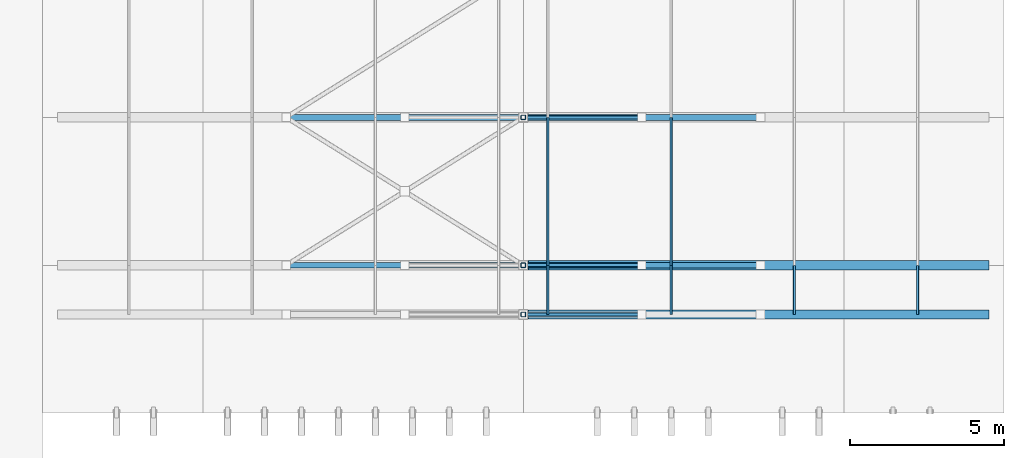
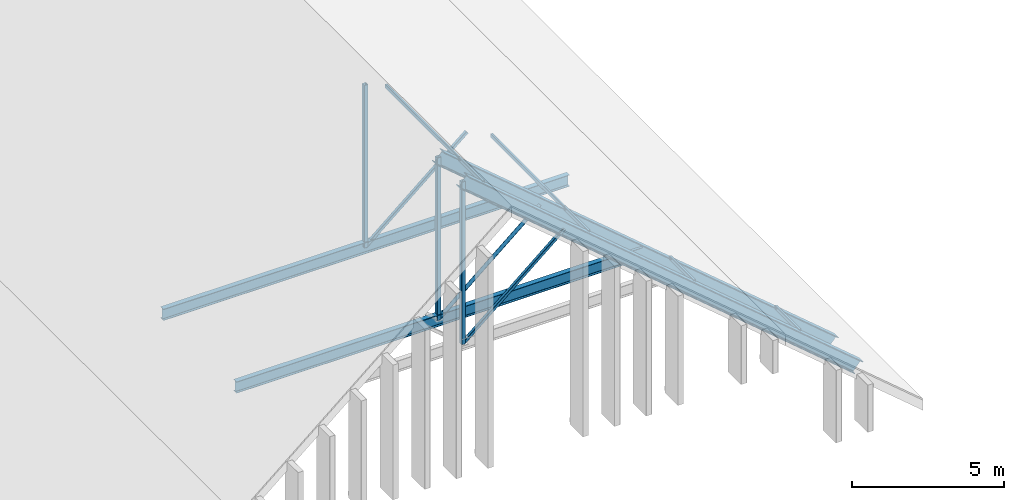
# One storey, part 24 of 60: 12 members, 4 beams.
"""IFC4 building model written with IfcOpenShell, lengths in metres."""

from ifc_helpers import new_model, si_unit, direction, frame, origin, origin_2d, place, context, subcontext, project, spatial, hollow_rectangle, hollow_circle, i_section, extrude, material, material_profile, profile_set, type_object, element, save


model = new_model("IFC4")

# Units and contexts
model_context = context("Model", 3, precision=1e-05, world=origin(), true_north=direction((0.0, 1.0)))
body_context = subcontext(model_context, "Body", "Model", "MODEL_VIEW")
ifc_project = project(units=[si_unit("LENGTHUNIT", "METRE"), si_unit("AREAUNIT", "SQUARE_METRE"), si_unit("VOLUMEUNIT", "CUBIC_METRE"), si_unit("PLANEANGLEUNIT", "RADIAN"), si_unit("MASSUNIT", "GRAM", prefix="KILO")], contexts=[model_context])

# Site, building, storey
site_placement = place(None, origin())
site = spatial("IfcSite", under=ifc_project, at=site_placement, CompositionType="ELEMENT")
building_placement = place(site_placement, origin())
building = spatial("IfcBuilding", under=site, at=building_placement, Name="Nakhvara Creek Congress Hotel", CompositionType="ELEMENT")
storey_placement = place(building_placement, frame((0.0, 0.0, 54.60009765625)))
storey = spatial("IfcBuildingStorey", under=building, at=storey_placement, Name="RL1", CompositionType="ELEMENT", Elevation=54.60009765625)

# Beams
ifc_material_1 = material(Name="Steel S355J2", Category="steel")
ifc_material_profile_1 = material_profile(ifc_material_1, i_section(OverallWidth=0.300048828125, OverallDepth=0.5, WebThickness=0.014404296875, FlangeThickness=0.028076171875, FilletRadius=0.027099609375, at=origin_2d()), Name="HEB 500", Category="LoadBearing")
ifc_profile_set_1 = profile_set([ifc_material_profile_1], Name="Steel S355J2")
beam_type_1 = type_object("IfcBeamType", Name="BM-ST-HEB500", PredefinedType="BEAM", material=ifc_profile_set_1)
for number, where, z_axis, x_axis, name in (
    (1, (164.39990234375, 76.39990234375, 8.11376953125), (0.763392905421, 0.0, -0.645934417687), (0.0, 1.0, 0.0), "Hotel Gothic Gable East Rafter 01"),
    (2, (164.39990234375, 78.0, 8.11376953125), (0.763392905421, 0.0, -0.645934417687), (0.0, 1.0, 0.0), "Hotel Gothic Gable East Rafter 02"),
):
    element("IfcBeam", number, at=place(storey_placement, frame(where, z_axis=z_axis, x_axis=x_axis)), inside=storey, type_object=beam_type_1, Name=name, PredefinedType="BEAM", context=body_context, shape_type="SweptSolid", body=[
        extrude(i_section(OverallWidth=0.300048828125, OverallDepth=0.5, WebThickness=0.014404296875, FlangeThickness=0.028076171875, FilletRadius=0.027099609375, at=origin_2d()), origin(), (0.0, 0.0, 1.0), 19.583984375),
    ])
ifc_material_profile_2 = material_profile(ifc_material_1, i_section(OverallWidth=0.1904296875, OverallDepth=0.45703125, WebThickness=0.009033203125, FlangeThickness=0.014404296875, FilletRadius=0.01025390625, at=origin_2d()), Name="UB 457x191x74", Category="LoadBearing")
ifc_profile_set_2 = profile_set([ifc_material_profile_2], Name="Steel S355J2")
beam_type_2 = type_object("IfcBeamType", Name="BM-ST-UB457", PredefinedType="BEAM", material=ifc_profile_set_2)
for number, where, z_axis, x_axis, name in (
    (3, (156.70166015625, 78.0, 1.599853515625), (1.0, 0.0, 0.0), (0.0, 1.0, 0.0), "Hotel Gothic Gable Collar Tie 02"),
    (4, (156.70166015625, 82.800048828125, 1.599853515625), (1.0, 0.0, 0.0), (0.0, 1.0, 0.0), "Hotel Gothic Gable Collar Tie 03"),
):
    element("IfcBeam", number, at=place(storey_placement, frame(where, z_axis=z_axis, x_axis=x_axis)), inside=storey, type_object=beam_type_2, Name=name, PredefinedType="BEAM", context=body_context, shape_type="SweptSolid", body=[
        extrude(i_section(OverallWidth=0.1904296875, OverallDepth=0.45703125, WebThickness=0.009033203125, FlangeThickness=0.014404296875, FilletRadius=0.01025390625, at=origin_2d()), origin(), (0.0, 0.0, 1.0), 15.396728515625),
    ])

# Members
ifc_material_2 = material(Name="Steel S355J2H", Category="steel")
ifc_material_profile_3 = material_profile(ifc_material_2, hollow_circle(Radius=0.06982421875, WallThickness=0.008056640625, at=origin_2d()), Name="CHS 139.7x8.0", Category="LoadBearing")
ifc_profile_set_3 = profile_set([ifc_material_profile_3], Name="Steel S355J2H")
member_type_1 = type_object("IfcMemberType", Name="MEM-BRC-CHS139H", PredefinedType="BRACE", material=ifc_profile_set_3)
member_1_placement = place(storey_placement, frame((164.39990234375, 78.0, 1.599853515625), z_axis=(0.763373429147, 0.0, 0.645957434876), x_axis=(0.0, 1.0, 0.0)))
element("IfcMember", 5, at=member_1_placement, inside=storey, type_object=member_type_1, Name="Hotel Gable Web Brace E-02", PredefinedType="BRACE", context=body_context, shape_type="SweptSolid", body=[
    extrude(hollow_circle(Radius=0.06982421875, WallThickness=0.008056640625, at=origin_2d()), origin(), (0.0, 0.0, 1.0), 5.042236328125),
])
ifc_material_profile_4 = material_profile(ifc_material_2, hollow_rectangle(XDim=0.1201171875, YDim=0.1201171875, WallThickness=0.008056640625, InnerFilletRadius=0.008056640625, OuterFilletRadius=0.01611328125, at=origin_2d()), Name="SHS 120x120x8.0", Category="LoadBearing")
ifc_profile_set_4 = profile_set([ifc_material_profile_4], Name="Steel S355J2H")
member_type_2 = type_object("IfcMemberType", Name="MEM-BRC-SHS120", PredefinedType="BRACE", material=ifc_profile_set_4)
for number, where, z_axis, x_axis, name in (
    (6, (164.39990234375, 76.39990234375, 1.599853515625), (0.763373429147, 0.0, 0.645957434876), (0.0, 1.0, 0.0), "Hotel Gable Web Brace E-01"),
    (7, (164.39990234375, 82.800048828125, 1.599853515625), (0.763373429147, 0.0, 0.645957434876), (0.0, 1.0, 0.0), "Hotel Gable Web Brace E-03"),
):
    element("IfcMember", number, at=place(storey_placement, frame(where, z_axis=z_axis, x_axis=x_axis)), inside=storey, type_object=member_type_2, Name=name, PredefinedType="BRACE", context=body_context, shape_type="SweptSolid", body=[
        extrude(hollow_rectangle(XDim=0.1201171875, YDim=0.1201171875, WallThickness=0.008056640625, InnerFilletRadius=0.008056640625, OuterFilletRadius=0.01611328125, at=origin_2d()), origin(), (0.0, 0.0, 1.0), 5.042236328125),
    ])
ifc_material_profile_5 = material_profile(ifc_material_2, hollow_rectangle(XDim=0.080078125, YDim=0.159912109375, WallThickness=0.00634765625, InnerFilletRadius=0.00634765625, OuterFilletRadius=0.0126953125, at=origin_2d()), Name="RHS 160x80x6.3", Category="LoadBearing")
ifc_profile_set_5 = profile_set([ifc_material_profile_5], Name="Steel S355J2H")
member_type_3 = type_object("IfcMemberType", Name="MEM-PUR-RHS160", PredefinedType="PURLIN", material=ifc_profile_set_5)
member_2_placement = place(storey_placement, frame((165.199951171875, 76.39990234375, 7.7568359375), z_axis=(0.0, 1.0, 0.0), x_axis=(-1.0, 0.0, 0.0)))
element("IfcMember", 8, at=member_2_placement, inside=storey, type_object=member_type_3, Name="Hotel Gable Purlin PR03-5.01", PredefinedType="PURLIN", context=body_context, shape_type="SweptSolid", body=[
    extrude(hollow_rectangle(XDim=0.080078125, YDim=0.159912109375, WallThickness=0.00634765625, InnerFilletRadius=0.00634765625, OuterFilletRadius=0.0126953125, at=origin_2d()), origin(), (0.0, 0.0, 1.0), 1.60009765625),
])
member_3_placement = place(storey_placement, frame((165.199951171875, 78.0, 7.7568359375), z_axis=(0.0, 1.0, 0.0), x_axis=(-1.0, 0.0, 0.0)))
element("IfcMember", 9, at=member_3_placement, inside=storey, type_object=member_type_3, Name="Hotel Gable Purlin PR03-5.02", PredefinedType="PURLIN", context=body_context, shape_type="SweptSolid", body=[
    extrude(hollow_rectangle(XDim=0.080078125, YDim=0.159912109375, WallThickness=0.00634765625, InnerFilletRadius=0.00634765625, OuterFilletRadius=0.0126953125, at=origin_2d()), origin(), (0.0, 0.0, 1.0), 4.800048828125),
])
member_4_placement = place(storey_placement, frame((169.199951171875, 76.39990234375, 4.372314453125), z_axis=(0.0, 1.0, 0.0), x_axis=(-1.0, 0.0, 0.0)))
element("IfcMember", 10, at=member_4_placement, inside=storey, type_object=member_type_3, Name="Hotel Gable Purlin PR03-6.01", PredefinedType="PURLIN", context=body_context, shape_type="SweptSolid", body=[
    extrude(hollow_rectangle(XDim=0.080078125, YDim=0.159912109375, WallThickness=0.00634765625, InnerFilletRadius=0.00634765625, OuterFilletRadius=0.0126953125, at=origin_2d()), origin(), (0.0, 0.0, 1.0), 1.60009765625),
])
member_5_placement = place(storey_placement, frame((169.199951171875, 78.0, 4.372314453125), z_axis=(0.0, 1.0, 0.0), x_axis=(-1.0, 0.0, 0.0)))
element("IfcMember", 11, at=member_5_placement, inside=storey, type_object=member_type_3, Name="Hotel Gable Purlin PR03-6.02", PredefinedType="PURLIN", context=body_context, shape_type="SweptSolid", body=[
    extrude(hollow_rectangle(XDim=0.080078125, YDim=0.159912109375, WallThickness=0.00634765625, InnerFilletRadius=0.00634765625, OuterFilletRadius=0.0126953125, at=origin_2d()), origin(), (0.0, 0.0, 1.0), 4.800048828125),
])
for number, where, z_axis, x_axis, name in (
    (12, (173.199951171875, 76.39990234375, 0.98779296875), (0.0, 1.0, 0.0), (-1.0, 0.0, 0.0), "Hotel Gable Purlin PR03-7.01"),
    (13, (177.199951171875, 76.39990234375, -2.39697265625), (0.0, 1.0, 0.0), (-1.0, 0.0, 0.0), "Hotel Gable Purlin PR03-8.01"),
):
    element("IfcMember", number, at=place(storey_placement, frame(where, z_axis=z_axis, x_axis=x_axis)), inside=storey, type_object=member_type_3, Name=name, PredefinedType="PURLIN", context=body_context, shape_type="SweptSolid", body=[
        extrude(hollow_rectangle(XDim=0.080078125, YDim=0.159912109375, WallThickness=0.00634765625, InnerFilletRadius=0.00634765625, OuterFilletRadius=0.0126953125, at=origin_2d()), origin(), (0.0, 0.0, 1.0), 1.60009765625),
    ])
ifc_material_profile_6 = material_profile(ifc_material_2, hollow_rectangle(XDim=0.14990234375, YDim=0.14990234375, WallThickness=0.008056640625, InnerFilletRadius=0.008056640625, OuterFilletRadius=0.01611328125, at=origin_2d()), Name="SHS 150x150x8.0", Category="LoadBearing")
ifc_profile_set_6 = profile_set([ifc_material_profile_6], Name="Steel S355J2H")
member_type_4 = type_object("IfcMemberType", Name="MEM-STR-SHS150", PredefinedType="STRUT", material=ifc_profile_set_6)
for number, where, z_axis, x_axis, name in (
    (14, (164.39990234375, 76.39990234375, 1.599853515625), (0.0, 0.0, 1.0), (1.0, 0.0, 0.0), "Hotel Gable King-Post Strut 01"),
    (15, (164.39990234375, 78.0, 1.599853515625), (0.0, 0.0, 1.0), (1.0, 0.0, 0.0), "Hotel Gable King-Post Strut 02"),
    (16, (164.39990234375, 82.800048828125, 1.599853515625), (0.0, 0.0, 1.0), (1.0, 0.0, 0.0), "Hotel Gable King-Post Strut 03"),
):
    element("IfcMember", number, at=place(storey_placement, frame(where, z_axis=z_axis, x_axis=x_axis)), inside=storey, type_object=member_type_4, Name=name, PredefinedType="STRUT", context=body_context, shape_type="SweptSolid", body=[
        extrude(hollow_rectangle(XDim=0.14990234375, YDim=0.14990234375, WallThickness=0.008056640625, InnerFilletRadius=0.008056640625, OuterFilletRadius=0.01611328125, at=origin_2d()), origin(), (0.0, 0.0, 1.0), 6.513916015625),
    ])

save(model, "model.ifc")
